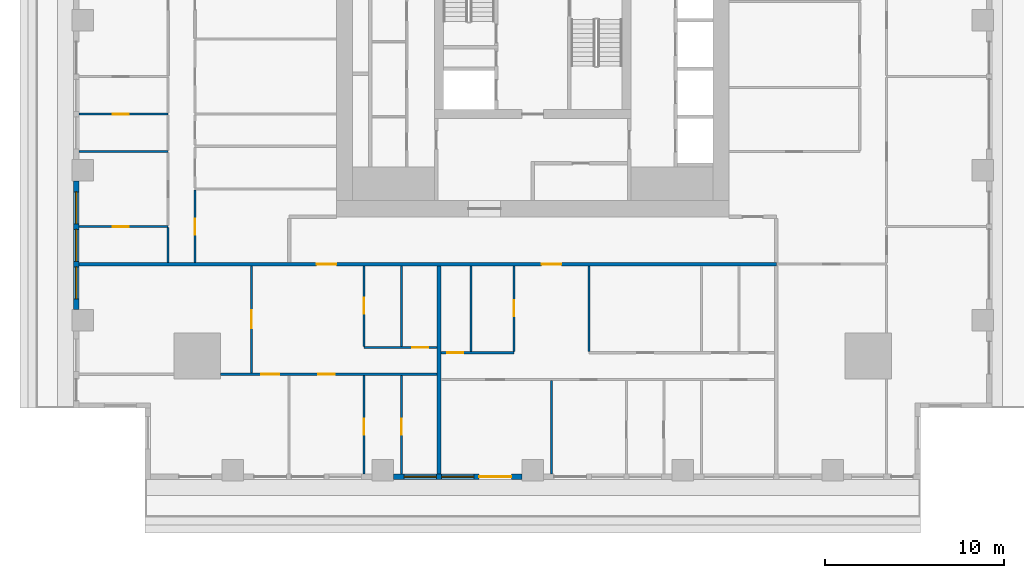
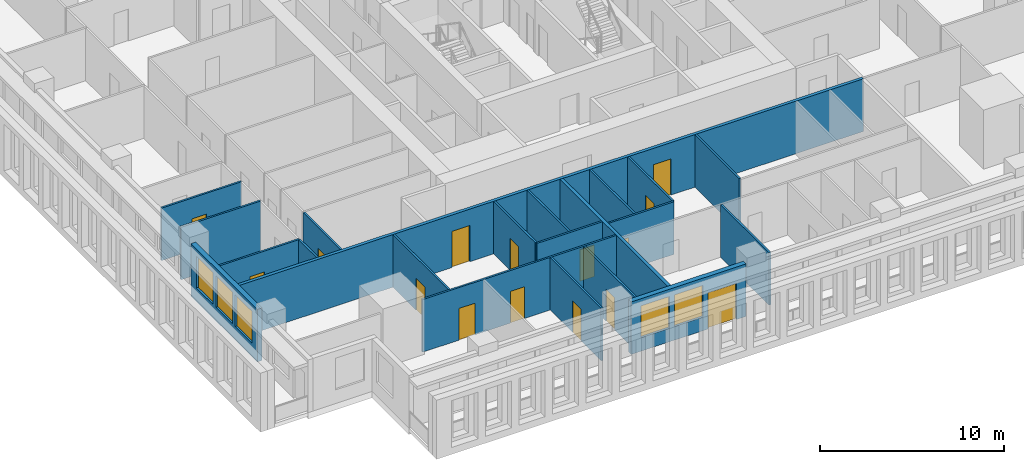
# One storey, part 2 of 16: 21 walls, 15 doors, 5 windows, 20 openings.
"""IFC4 building model written with IfcOpenShell, lengths in metres."""

from ifc_helpers import new_model, si_unit, direction, frame, frame_2d, origin, place, context, subcontext, project, spatial, rectangle, extrude, material, layer, layer_set, type_object, element, fill, save


model = new_model("IFC4")

# Units and contexts
model_context = context("Model", 3, precision=1e-05, world=origin(), true_north=direction((0.0, 1.0)))
body_context = subcontext(model_context, "Body", "Model", "MODEL_VIEW")
ifc_project = project(units=[si_unit("LENGTHUNIT", "METRE"), si_unit("AREAUNIT", "SQUARE_METRE"), si_unit("VOLUMEUNIT", "CUBIC_METRE"), si_unit("PLANEANGLEUNIT", "RADIAN"), si_unit("MASSUNIT", "GRAM", prefix="KILO")], contexts=[model_context])

# Site, building, storey
site_placement = place(None, origin())
site = spatial("IfcSite", under=ifc_project, at=site_placement, CompositionType="ELEMENT")
building_placement = place(site_placement, origin())
building = spatial("IfcBuilding", under=site, at=building_placement, Name="Khepri Terraces", CompositionType="ELEMENT")
storey_placement = place(building_placement, frame((0.0, 0.0, 141.60009765625)))
storey = spatial("IfcBuildingStorey", under=building, at=storey_placement, Name="L33", CompositionType="ELEMENT", Elevation=141.60009765625)

# Wall
ifc_material_1 = material(Name="Fire-rated gypsum plasterboard partition, mineral wool")
ifc_layer_1 = layer(ifc_material_1, 0.199951171875, Name="Fire-rated gypsum plasterboard partition, mineral wool")
ifc_layer_set_1 = layer_set([ifc_layer_1], Name="Fire-rated gypsum plasterboard partition, mineral wool")
wall_type_1 = type_object("IfcWallType", Name="WL-CORR-200", PredefinedType="PARTITIONING", material=ifc_layer_set_1)
wall_1_placement = place(storey_placement, frame((-5.25, -25.419921875, 0.0), z_axis=(0.0, 0.0, 1.0), x_axis=(0.0, 1.0, 0.0)))
element("IfcWall", 1, at=wall_1_placement, inside=storey, type_object=wall_type_1, Name="Partition P-004 L33", PredefinedType="PARTITIONING", context=body_context, shape_type="SweptSolid", body=[
    extrude(rectangle(XDim=11.669921875, YDim=0.199951171875, at=frame_2d((5.8349609375, 0.0))), origin(), (0.0, 0.0, 1.0), 3.47998046875),
])

# Wall, openings, doors
wall_2_placement = place(storey_placement, frame((-25.419921875, -13.64990234375, 0.0), z_axis=(0.0, 0.0, 1.0), x_axis=(1.0, 0.0, 0.0)))
wall_2 = element("IfcWall", 2, at=wall_2_placement, inside=storey, type_object=wall_type_1, Name="Partition P-026 L33", PredefinedType="PARTITIONING", context=body_context, shape_type="SweptSolid", body=[
    extrude(rectangle(XDim=39.06982421875, YDim=0.199951171875, at=frame_2d((19.534912109375, 0.0))), origin(), (0.0, 0.0, 1.0), 3.47998046875),
])
opening_1_placement = place(wall_2_placement, frame((13.320068359375, 0.0, 0.0)))
opening_1 = element("IfcOpeningElement", 3, at=opening_1_placement, cuts=wall_2, Name="Opening D1", PredefinedType="OPENING", context=body_context, shape_type="SweptSolid", body=[
    extrude(rectangle(XDim=1.10009765625, YDim=2.39990234375, at=frame_2d((0.550048828125, 1.199951171875))), frame((0.0, 0.10986328125, 0.0), z_axis=(0.0, -1.0, 0.0), x_axis=(1.0, 0.0, 0.0)), (0.0, 0.0, 1.0), 0.219970703125),
])
opening_2_placement = place(wall_2_placement, frame((25.919921875, 0.0, 0.0)))
opening_2 = element("IfcOpeningElement", 4, at=opening_2_placement, cuts=wall_2, Name="Opening D1", PredefinedType="OPENING", context=body_context, shape_type="SweptSolid", body=[
    extrude(rectangle(XDim=1.10009765625, YDim=2.39990234375, at=frame_2d((0.550048828125, 1.199951171875))), frame((0.0, 0.10986328125, 0.0), z_axis=(0.0, -1.0, 0.0), x_axis=(1.0, 0.0, 0.0)), (0.0, 0.0, 1.0), 0.219970703125),
])
ifc_material_2 = material(Name="Solid-core timber door leaf, flat entrance door", Category="wood")
door_type_1 = type_object("IfcDoorType", Name="DR-ENT-1100", OperationType="NOTDEFINED", PredefinedType="DOOR", material=ifc_material_2)
door_1_placement = place(opening_1_placement, frame((1.10009765625, 0.0, 0.0), z_axis=(0.0, 0.0, 1.0), x_axis=(-1.0, 0.0, 0.0)))
door_1 = element("IfcDoor", 5, at=door_1_placement, inside=storey, type_object=door_type_1, Name="Flat A1 entrance door", OperationType="SINGLE_SWING_RIGHT", OverallHeight=2.39990234375, OverallWidth=1.10009765625, PredefinedType="DOOR", context=body_context, shape_type="SweptSolid", body=[
    extrude(rectangle(XDim=1.10009765625, YDim=2.39990234375, at=frame_2d((0.550048828125, 1.199951171875))), frame((0.0, 0.02490234375, 0.0), z_axis=(0.0, -1.0, 0.0), x_axis=(1.0, 0.0, 0.0)), (0.0, 0.0, 1.0), 0.050048828125),
])
fill(opening_1, door_1)
door_2_placement = place(opening_2_placement, frame((1.10009765625, 0.0, 0.0), z_axis=(0.0, 0.0, 1.0), x_axis=(-1.0, 0.0, 0.0)))
door_2 = element("IfcDoor", 6, at=door_2_placement, inside=storey, type_object=door_type_1, Name="Flat A2 entrance door", OperationType="SINGLE_SWING_LEFT", OverallHeight=2.39990234375, OverallWidth=1.10009765625, PredefinedType="DOOR", context=body_context, shape_type="SweptSolid", body=[
    extrude(rectangle(XDim=1.10009765625, YDim=2.39990234375, at=frame_2d((0.550048828125, 1.199951171875))), frame((0.0, 0.02490234375, 0.0), z_axis=(0.0, -1.0, 0.0), x_axis=(1.0, 0.0, 0.0)), (0.0, 0.0, 1.0), 0.050048828125),
])
fill(opening_2, door_2)

# Wall, openings, windows
ifc_material_3 = material(Name="Precast concrete C50/60 warm stone", Category="masonry")
ifc_layer_2 = layer(ifc_material_3, 0.300048828125, Name="Precast concrete C50/60 warm stone", Category="masonry")
ifc_layer_set_2 = layer_set([ifc_layer_2], Name="Precast concrete C50/60 warm stone")
wall_type_2 = type_object("IfcWallType", Name="WL-EXT-PRECAST-300", PredefinedType="STANDARD", material=ifc_layer_set_2)
wall_3_placement = place(storey_placement, frame((-25.570068359375, -9.0, 0.0), z_axis=(0.0, 0.0, 1.0), x_axis=(0.0, -1.0, 0.0)))
wall_3 = element("IfcWall", 7, at=wall_3_placement, inside=storey, type_object=wall_type_2, Name="External wall L33 W", PredefinedType="STANDARD", context=body_context, shape_type="SweptSolid", body=[
    extrude(rectangle(XDim=7.199951171875, YDim=0.300048828125, at=frame_2d((3.60009765625, 0.0))), origin(), (0.0, 0.0, 1.0), 3.47998046875),
])
opening_3_placement = place(wall_3_placement, frame((0.60009765625, 0.0, 0.89990234375)))
opening_3 = element("IfcOpeningElement", 8, at=opening_3_placement, cuts=wall_3, Name="Opening W1", PredefinedType="OPENING", context=body_context, shape_type="SweptSolid", body=[
    extrude(rectangle(XDim=1.800048828125, YDim=2.10009765625, at=frame_2d((0.89990234375, 1.050048828125))), frame((0.0, 0.16015625, 0.0), z_axis=(0.0, -1.0, 0.0), x_axis=(1.0, 0.0, 0.0)), (0.0, 0.0, 1.0), 0.320068359375),
])
opening_4_placement = place(wall_3_placement, frame((2.699951171875, 0.0, 0.89990234375)))
opening_4 = element("IfcOpeningElement", 9, at=opening_4_placement, cuts=wall_3, Name="Opening W1", PredefinedType="OPENING", context=body_context, shape_type="SweptSolid", body=[
    extrude(rectangle(XDim=1.800048828125, YDim=2.10009765625, at=frame_2d((0.89990234375, 1.050048828125))), frame((0.0, 0.16015625, 0.0), z_axis=(0.0, -1.0, 0.0), x_axis=(1.0, 0.0, 0.0)), (0.0, 0.0, 1.0), 0.320068359375),
])
opening_5_placement = place(wall_3_placement, frame((4.800048828125, 0.0, 0.89990234375)))
opening_5 = element("IfcOpeningElement", 10, at=opening_5_placement, cuts=wall_3, Name="Opening W1", PredefinedType="OPENING", context=body_context, shape_type="SweptSolid", body=[
    extrude(rectangle(XDim=1.800048828125, YDim=2.10009765625, at=frame_2d((0.89990234375, 1.050048828125))), frame((0.0, 0.16015625, 0.0), z_axis=(0.0, -1.0, 0.0), x_axis=(1.0, 0.0, 0.0)), (0.0, 0.0, 1.0), 0.320068359375),
])
ifc_material_4 = material(Name="Clear glass", Category="glass")
window_type = type_object("IfcWindowType", Name="WIN-RES-1800x2100", PartitioningType="SINGLE_PANEL", PredefinedType="WINDOW", material=ifc_material_4)
window_1_placement = place(opening_3_placement, origin())
window_1 = element("IfcWindow", 11, at=window_1_placement, inside=storey, type_object=window_type, Name="Window L33 W", OverallHeight=2.10009765625, OverallWidth=1.800048828125, PartitioningType="SINGLE_PANEL", PredefinedType="WINDOW", context=body_context, shape_type="SweptSolid", body=[
    extrude(rectangle(XDim=1.800048828125, YDim=2.10009765625, at=frame_2d((0.89990234375, 1.050048828125))), frame((0.0, 0.030029296875, 0.0), z_axis=(0.0, -1.0, 0.0), x_axis=(1.0, 0.0, 0.0)), (0.0, 0.0, 1.0), 0.06005859375),
])
fill(opening_3, window_1)
window_2_placement = place(opening_4_placement, origin())
window_2 = element("IfcWindow", 12, at=window_2_placement, inside=storey, type_object=window_type, Name="Window L33 W", OverallHeight=2.10009765625, OverallWidth=1.800048828125, PartitioningType="SINGLE_PANEL", PredefinedType="WINDOW", context=body_context, shape_type="SweptSolid", body=[
    extrude(rectangle(XDim=1.800048828125, YDim=2.10009765625, at=frame_2d((0.89990234375, 1.050048828125))), frame((0.0, 0.030029296875, 0.0), z_axis=(0.0, -1.0, 0.0), x_axis=(1.0, 0.0, 0.0)), (0.0, 0.0, 1.0), 0.06005859375),
])
fill(opening_4, window_2)
window_3_placement = place(opening_5_placement, origin())
window_3 = element("IfcWindow", 13, at=window_3_placement, inside=storey, type_object=window_type, Name="Window L33 W", OverallHeight=2.10009765625, OverallWidth=1.800048828125, PartitioningType="SINGLE_PANEL", PredefinedType="WINDOW", context=body_context, shape_type="SweptSolid", body=[
    extrude(rectangle(XDim=1.800048828125, YDim=2.10009765625, at=frame_2d((0.89990234375, 1.050048828125))), frame((0.0, 0.030029296875, 0.0), z_axis=(0.0, -1.0, 0.0), x_axis=(1.0, 0.0, 0.0)), (0.0, 0.0, 1.0), 0.06005859375),
])
fill(opening_5, window_3)

# Wall, openings, door, windows
wall_4_placement = place(storey_placement, frame((-7.800048828125, -25.570068359375, 0.0), z_axis=(0.0, 0.0, 1.0), x_axis=(1.0, 0.0, 0.0)))
wall_4 = element("IfcWall", 14, at=wall_4_placement, inside=storey, type_object=wall_type_2, Name="External wall L33 S", PredefinedType="STANDARD", context=body_context, shape_type="SweptSolid", body=[
    extrude(rectangle(XDim=7.199951171875, YDim=0.300048828125, at=frame_2d((3.60009765625, 0.0))), origin(), (0.0, 0.0, 1.0), 3.47998046875),
])
opening_6_placement = place(wall_4_placement, frame((0.60009765625, 0.0, 0.89990234375)))
opening_6 = element("IfcOpeningElement", 15, at=opening_6_placement, cuts=wall_4, Name="Opening W1", PredefinedType="OPENING", context=body_context, shape_type="SweptSolid", body=[
    extrude(rectangle(XDim=1.800048828125, YDim=2.10009765625, at=frame_2d((0.89990234375, 1.050048828125))), frame((0.0, 0.16015625, 0.0), z_axis=(0.0, -1.0, 0.0), x_axis=(1.0, 0.0, 0.0)), (0.0, 0.0, 1.0), 0.320068359375),
])
opening_7_placement = place(wall_4_placement, frame((2.699951171875, 0.0, 0.89990234375)))
opening_7 = element("IfcOpeningElement", 16, at=opening_7_placement, cuts=wall_4, Name="Opening W1", PredefinedType="OPENING", context=body_context, shape_type="SweptSolid", body=[
    extrude(rectangle(XDim=1.800048828125, YDim=2.10009765625, at=frame_2d((0.89990234375, 1.050048828125))), frame((0.0, 0.16015625, 0.0), z_axis=(0.0, -1.0, 0.0), x_axis=(1.0, 0.0, 0.0)), (0.0, 0.0, 1.0), 0.320068359375),
])
opening_8_placement = place(wall_4_placement, frame((4.800048828125, 0.0, 0.0)))
opening_8 = element("IfcOpeningElement", 17, at=opening_8_placement, cuts=wall_4, Name="Opening ED-L33-23", PredefinedType="OPENING", context=body_context, shape_type="SweptSolid", body=[
    extrude(rectangle(XDim=1.800048828125, YDim=2.39990234375, at=frame_2d((0.89990234375, 1.199951171875))), frame((0.0, 0.16015625, 0.0), z_axis=(0.0, -1.0, 0.0), x_axis=(1.0, 0.0, 0.0)), (0.0, 0.0, 1.0), 0.320068359375),
])
ifc_material_5 = material(Name="Anodised aluminium bronze glazed door", Category="aluminium")
door_type_2 = type_object("IfcDoorType", Name="DR-BAL-SLIDE-1800x2400", OperationType="NOTDEFINED", PredefinedType="DOOR", material=ifc_material_5)
door_3_placement = place(opening_8_placement, origin())
door_3 = element("IfcDoor", 18, at=door_3_placement, inside=storey, type_object=door_type_2, Name="Balcony door L33 S", OperationType="SLIDING_TO_RIGHT", OverallHeight=2.39990234375, OverallWidth=1.800048828125, PredefinedType="DOOR", context=body_context, shape_type="SweptSolid", body=[
    extrude(rectangle(XDim=1.800048828125, YDim=2.39990234375, at=frame_2d((0.89990234375, 1.199951171875))), frame((0.0, 0.02490234375, 0.0), z_axis=(0.0, -1.0, 0.0), x_axis=(1.0, 0.0, 0.0)), (0.0, 0.0, 1.0), 0.050048828125),
])
fill(opening_8, door_3)
window_4_placement = place(opening_6_placement, origin())
window_4 = element("IfcWindow", 19, at=window_4_placement, inside=storey, type_object=window_type, Name="Window L33 S", OverallHeight=2.10009765625, OverallWidth=1.800048828125, PartitioningType="SINGLE_PANEL", PredefinedType="WINDOW", context=body_context, shape_type="SweptSolid", body=[
    extrude(rectangle(XDim=1.800048828125, YDim=2.10009765625, at=frame_2d((0.89990234375, 1.050048828125))), frame((0.0, 0.030029296875, 0.0), z_axis=(0.0, -1.0, 0.0), x_axis=(1.0, 0.0, 0.0)), (0.0, 0.0, 1.0), 0.06005859375),
])
fill(opening_6, window_4)
window_5_placement = place(opening_7_placement, origin())
window_5 = element("IfcWindow", 20, at=window_5_placement, inside=storey, type_object=window_type, Name="Window L33 S", OverallHeight=2.10009765625, OverallWidth=1.800048828125, PartitioningType="SINGLE_PANEL", PredefinedType="WINDOW", context=body_context, shape_type="SweptSolid", body=[
    extrude(rectangle(XDim=1.800048828125, YDim=2.10009765625, at=frame_2d((0.89990234375, 1.050048828125))), frame((0.0, 0.030029296875, 0.0), z_axis=(0.0, -1.0, 0.0), x_axis=(1.0, 0.0, 0.0)), (0.0, 0.0, 1.0), 0.06005859375),
])
fill(opening_7, window_5)

# Wall, opening, door
ifc_material_6 = material(Name="Gypsum plasterboard partition")
ifc_layer_3 = layer(ifc_material_6, 0.1201171875, Name="Gypsum plasterboard partition")
ifc_layer_set_3 = layer_set([ifc_layer_3], Name="Gypsum plasterboard partition")
wall_type_3 = type_object("IfcWallType", Name="WL-PART-120", PredefinedType="PARTITIONING", material=ifc_layer_set_3)
wall_5_placement = place(storey_placement, frame((-9.449951171875, -25.419921875, 0.0), z_axis=(0.0, 0.0, 1.0), x_axis=(0.0, 1.0, 0.0)))
wall_5 = element("IfcWall", 21, at=wall_5_placement, inside=storey, type_object=wall_type_3, Name="Partition P-002 L33", PredefinedType="PARTITIONING", context=body_context, shape_type="SweptSolid", body=[
    extrude(rectangle(XDim=5.5400390625, YDim=0.1201171875, at=frame_2d((2.77001953125, 0.0))), origin(), (0.0, 0.0, 1.0), 3.47998046875),
])
opening_9_placement = place(wall_5_placement, frame((2.199951171875, 0.0, 0.0)))
opening_9 = element("IfcOpeningElement", 22, at=opening_9_placement, cuts=wall_5, Name="Opening D3", PredefinedType="OPENING", context=body_context, shape_type="SweptSolid", body=[
    extrude(rectangle(XDim=0.89990234375, YDim=2.10009765625, at=frame_2d((0.449951171875, 1.050048828125))), frame((0.0, 0.070068359375, 0.0), z_axis=(0.0, -1.0, 0.0), x_axis=(1.0, 0.0, 0.0)), (0.0, 0.0, 1.0), 0.14013671875),
])
ifc_material_7 = material(Name="Timber door leaf", Category="wood")
door_type_3 = type_object("IfcDoorType", Name="DR-INT-900", OperationType="NOTDEFINED", PredefinedType="DOOR", material=ifc_material_7)
door_4_placement = place(opening_9_placement, frame((0.89990234375, 0.0, 0.0), z_axis=(0.0, 0.0, 1.0), x_axis=(-1.0, 0.0, 0.0)))
door_4 = element("IfcDoor", 23, at=door_4_placement, inside=storey, type_object=door_type_3, Name="Door Dressing Room", OperationType="SINGLE_SWING_RIGHT", OverallHeight=2.10009765625, OverallWidth=0.89990234375, PredefinedType="DOOR", context=body_context, shape_type="SweptSolid", body=[
    extrude(rectangle(XDim=0.89990234375, YDim=2.10009765625, at=frame_2d((0.449951171875, 1.050048828125))), frame((0.0, 0.02490234375, 0.0), z_axis=(0.0, -1.0, 0.0), x_axis=(1.0, 0.0, 0.0)), (0.0, 0.0, 1.0), 0.050048828125),
])
fill(opening_9, door_4)

wall_6_placement = place(storey_placement, frame((-7.35009765625, -25.419921875, 0.0), z_axis=(0.0, 0.0, 1.0), x_axis=(0.0, 1.0, 0.0)))
wall_6 = element("IfcWall", 24, at=wall_6_placement, inside=storey, type_object=wall_type_3, Name="Partition P-003 L33", PredefinedType="PARTITIONING", context=body_context, shape_type="SweptSolid", body=[
    extrude(rectangle(XDim=5.5400390625, YDim=0.1201171875, at=frame_2d((2.77001953125, 0.0))), origin(), (0.0, 0.0, 1.0), 3.47998046875),
])
opening_10_placement = place(wall_6_placement, frame((2.199951171875, 0.0, 0.0)))
opening_10 = element("IfcOpeningElement", 25, at=opening_10_placement, cuts=wall_6, Name="Opening D4", PredefinedType="OPENING", context=body_context, shape_type="SweptSolid", body=[
    extrude(rectangle(XDim=0.89990234375, YDim=2.10009765625, at=frame_2d((0.449951171875, 1.050048828125))), frame((0.0, 0.070068359375, 0.0), z_axis=(0.0, -1.0, 0.0), x_axis=(1.0, 0.0, 0.0)), (0.0, 0.0, 1.0), 0.14013671875),
])
ifc_material_8 = material(Name="Timber door leaf, moisture resistant", Category="wood")
door_type_4 = type_object("IfcDoorType", Name="DR-WET-900", OperationType="NOTDEFINED", PredefinedType="DOOR", material=ifc_material_8)
door_5_placement = place(opening_10_placement, frame((0.89990234375, 0.0, 0.0), z_axis=(0.0, 0.0, 1.0), x_axis=(-1.0, 0.0, 0.0)))
door_5 = element("IfcDoor", 26, at=door_5_placement, inside=storey, type_object=door_type_4, Name="Door Bathroom", OperationType="SINGLE_SWING_RIGHT", OverallHeight=2.10009765625, OverallWidth=0.89990234375, PredefinedType="DOOR", context=body_context, shape_type="SweptSolid", body=[
    extrude(rectangle(XDim=0.89990234375, YDim=2.10009765625, at=frame_2d((0.449951171875, 1.050048828125))), frame((0.0, 0.02490234375, 0.0), z_axis=(0.0, -1.0, 0.0), x_axis=(1.0, 0.0, 0.0)), (0.0, 0.0, 1.0), 0.050048828125),
])
fill(opening_10, door_5)

# Wall
wall_7_placement = place(storey_placement, frame((1.050048828125, -25.419921875, 0.0), z_axis=(0.0, 0.0, 1.0), x_axis=(0.0, 1.0, 0.0)))
element("IfcWall", 27, at=wall_7_placement, inside=storey, type_object=wall_type_3, Name="Partition P-005 L33", PredefinedType="PARTITIONING", context=body_context, shape_type="SweptSolid", body=[
    extrude(rectangle(XDim=5.239990234375, YDim=0.1201171875, at=frame_2d((2.6201171875, 0.0))), origin(), (0.0, 0.0, 1.0), 3.47998046875),
])

# Wall, openings, doors
wall_8_placement = place(storey_placement, frame((-17.5, -19.820068359375, 0.0), z_axis=(0.0, 0.0, 1.0), x_axis=(1.0, 0.0, 0.0)))
wall_8 = element("IfcWall", 28, at=wall_8_placement, inside=storey, type_object=wall_type_3, Name="Partition P-013 L33", PredefinedType="PARTITIONING", context=body_context, shape_type="SweptSolid", body=[
    extrude(rectangle(XDim=12.14990234375, YDim=0.1201171875, at=frame_2d((6.074951171875, 0.0))), origin(), (0.0, 0.0, 1.0), 3.47998046875),
])
opening_11_placement = place(wall_8_placement, frame((2.300048828125, 0.0, 0.0)))
opening_11 = element("IfcOpeningElement", 29, at=opening_11_placement, cuts=wall_8, Name="Opening D2", PredefinedType="OPENING", context=body_context, shape_type="SweptSolid", body=[
    extrude(rectangle(XDim=1.0, YDim=2.10009765625, at=frame_2d((0.5, 1.050048828125))), frame((0.0, 0.070068359375, 0.0), z_axis=(0.0, -1.0, 0.0), x_axis=(1.0, 0.0, 0.0)), (0.0, 0.0, 1.0), 0.14013671875),
])
opening_12_placement = place(wall_8_placement, frame((5.5, 0.0, 0.0)))
opening_12 = element("IfcOpeningElement", 30, at=opening_12_placement, cuts=wall_8, Name="Opening D3", PredefinedType="OPENING", context=body_context, shape_type="SweptSolid", body=[
    extrude(rectangle(XDim=0.89990234375, YDim=2.10009765625, at=frame_2d((0.449951171875, 1.050048828125))), frame((0.0, 0.070068359375, 0.0), z_axis=(0.0, -1.0, 0.0), x_axis=(1.0, 0.0, 0.0)), (0.0, 0.0, 1.0), 0.14013671875),
])
ifc_material_9 = material(Name="Timber door leaf, living room door", Category="wood")
door_type_5 = type_object("IfcDoorType", Name="DR-INT-1000", OperationType="NOTDEFINED", PredefinedType="DOOR", material=ifc_material_9)
door_6_placement = place(opening_11_placement, frame((1.0, 0.0, 0.0), z_axis=(0.0, 0.0, 1.0), x_axis=(-1.0, 0.0, 0.0)))
door_6 = element("IfcDoor", 31, at=door_6_placement, inside=storey, type_object=door_type_5, Name="Door Living Room", OperationType="SINGLE_SWING_RIGHT", OverallHeight=2.10009765625, OverallWidth=1.0, PredefinedType="DOOR", context=body_context, shape_type="SweptSolid", body=[
    extrude(rectangle(XDim=1.0, YDim=2.10009765625, at=frame_2d((0.5, 1.050048828125))), frame((0.0, 0.02490234375, 0.0), z_axis=(0.0, -1.0, 0.0), x_axis=(1.0, 0.0, 0.0)), (0.0, 0.0, 1.0), 0.050048828125),
])
fill(opening_11, door_6)
door_7_placement = place(opening_12_placement, frame((0.89990234375, 0.0, 0.0), z_axis=(0.0, 0.0, 1.0), x_axis=(-1.0, 0.0, 0.0)))
door_7 = element("IfcDoor", 32, at=door_7_placement, inside=storey, type_object=door_type_3, Name="Door Master Bedroom", OperationType="SINGLE_SWING_RIGHT", OverallHeight=2.10009765625, OverallWidth=0.89990234375, PredefinedType="DOOR", context=body_context, shape_type="SweptSolid", body=[
    extrude(rectangle(XDim=0.89990234375, YDim=2.10009765625, at=frame_2d((0.449951171875, 1.050048828125))), frame((0.0, 0.02490234375, 0.0), z_axis=(0.0, -1.0, 0.0), x_axis=(1.0, 0.0, 0.0)), (0.0, 0.0, 1.0), 0.050048828125),
])
fill(opening_12, door_7)

# Wall, opening, door
wall_9_placement = place(storey_placement, frame((-15.75, -19.760009765625, 0.0), z_axis=(0.0, 0.0, 1.0), x_axis=(0.0, 1.0, 0.0)))
wall_9 = element("IfcWall", 33, at=wall_9_placement, inside=storey, type_object=wall_type_3, Name="Partition P-014 L33", PredefinedType="PARTITIONING", context=body_context, shape_type="SweptSolid", body=[
    extrude(rectangle(XDim=6.010009765625, YDim=0.1201171875, at=frame_2d((3.0048828125, 0.0))), origin(), (0.0, 0.0, 1.0), 3.47998046875),
])
opening_13_placement = place(wall_9_placement, frame((2.52490234375, 0.0, 0.0)))
opening_13 = element("IfcOpeningElement", 34, at=opening_13_placement, cuts=wall_9, Name="Opening D2", PredefinedType="OPENING", context=body_context, shape_type="SweptSolid", body=[
    extrude(rectangle(XDim=1.0, YDim=2.10009765625, at=frame_2d((0.5, 1.050048828125))), frame((0.0, 0.070068359375, 0.0), z_axis=(0.0, -1.0, 0.0), x_axis=(1.0, 0.0, 0.0)), (0.0, 0.0, 1.0), 0.14013671875),
])
door_8_placement = place(opening_13_placement, origin())
door_8 = element("IfcDoor", 35, at=door_8_placement, inside=storey, type_object=door_type_5, Name="Door Family Room", OperationType="SINGLE_SWING_RIGHT", OverallHeight=2.10009765625, OverallWidth=1.0, PredefinedType="DOOR", context=body_context, shape_type="SweptSolid", body=[
    extrude(rectangle(XDim=1.0, YDim=2.10009765625, at=frame_2d((0.5, 1.050048828125))), frame((0.0, 0.02490234375, 0.0), z_axis=(0.0, -1.0, 0.0), x_axis=(1.0, 0.0, 0.0)), (0.0, 0.0, 1.0), 0.050048828125),
])
fill(opening_13, door_8)

wall_10_placement = place(storey_placement, frame((-5.14990234375, -18.6201171875, 0.0), z_axis=(0.0, 0.0, 1.0), x_axis=(1.0, 0.0, 0.0)))
wall_10 = element("IfcWall", 36, at=wall_10_placement, inside=storey, type_object=wall_type_3, Name="Partition P-015 L33", PredefinedType="PARTITIONING", context=body_context, shape_type="SweptSolid", body=[
    extrude(rectangle(XDim=4.099853515625, YDim=0.1201171875, at=frame_2d((2.0498046875, 0.0))), origin(), (0.0, 0.0, 1.0), 3.47998046875),
])
opening_14_placement = place(wall_10_placement, frame((0.35009765625, 0.0, 0.0)))
opening_14 = element("IfcOpeningElement", 37, at=opening_14_placement, cuts=wall_10, Name="Opening D4", PredefinedType="OPENING", context=body_context, shape_type="SweptSolid", body=[
    extrude(rectangle(XDim=0.89990234375, YDim=2.10009765625, at=frame_2d((0.449951171875, 1.050048828125))), frame((0.0, 0.070068359375, 0.0), z_axis=(0.0, -1.0, 0.0), x_axis=(1.0, 0.0, 0.0)), (0.0, 0.0, 1.0), 0.14013671875),
])
door_9_placement = place(opening_14_placement, origin())
door_9 = element("IfcDoor", 38, at=door_9_placement, inside=storey, type_object=door_type_4, Name="Door Powder Room", OperationType="SINGLE_SWING_LEFT", OverallHeight=2.10009765625, OverallWidth=0.89990234375, PredefinedType="DOOR", context=body_context, shape_type="SweptSolid", body=[
    extrude(rectangle(XDim=0.89990234375, YDim=2.10009765625, at=frame_2d((0.449951171875, 1.050048828125))), frame((0.0, 0.02490234375, 0.0), z_axis=(0.0, -1.0, 0.0), x_axis=(1.0, 0.0, 0.0)), (0.0, 0.0, 1.0), 0.050048828125),
])
fill(opening_14, door_9)

# Wall
wall_11_placement = place(storey_placement, frame((-3.449951171875, -18.56005859375, 0.0), z_axis=(0.0, 0.0, 1.0), x_axis=(0.0, 1.0, 0.0)))
element("IfcWall", 39, at=wall_11_placement, inside=storey, type_object=wall_type_3, Name="Partition P-017 L33", PredefinedType="PARTITIONING", context=body_context, shape_type="SweptSolid", body=[
    extrude(rectangle(XDim=4.81005859375, YDim=0.1201171875, at=frame_2d((2.405029296875, 0.0))), origin(), (0.0, 0.0, 1.0), 3.47998046875),
])

# Wall, opening, door
wall_12_placement = place(storey_placement, frame((-1.050048828125, -18.56005859375, 0.0), z_axis=(0.0, 0.0, 1.0), x_axis=(0.0, 1.0, 0.0)))
wall_12 = element("IfcWall", 40, at=wall_12_placement, inside=storey, type_object=wall_type_3, Name="Partition P-018 L33", PredefinedType="PARTITIONING", context=body_context, shape_type="SweptSolid", body=[
    extrude(rectangle(XDim=4.81005859375, YDim=0.1201171875, at=frame_2d((2.405029296875, 0.0))), origin(), (0.0, 0.0, 1.0), 3.47998046875),
])
opening_15_placement = place(wall_12_placement, frame((1.97509765625, 0.0, 0.0)))
opening_15 = element("IfcOpeningElement", 41, at=opening_15_placement, cuts=wall_12, Name="Opening D4", PredefinedType="OPENING", context=body_context, shape_type="SweptSolid", body=[
    extrude(rectangle(XDim=0.89990234375, YDim=2.10009765625, at=frame_2d((0.449951171875, 1.050048828125))), frame((0.0, 0.070068359375, 0.0), z_axis=(0.0, -1.0, 0.0), x_axis=(1.0, 0.0, 0.0)), (0.0, 0.0, 1.0), 0.14013671875),
])
door_10_placement = place(opening_15_placement, origin())
door_10 = element("IfcDoor", 42, at=door_10_placement, inside=storey, type_object=door_type_4, Name="Door Guest Bathroom", OperationType="SINGLE_SWING_RIGHT", OverallHeight=2.10009765625, OverallWidth=0.89990234375, PredefinedType="DOOR", context=body_context, shape_type="SweptSolid", body=[
    extrude(rectangle(XDim=0.89990234375, YDim=2.10009765625, at=frame_2d((0.449951171875, 1.050048828125))), frame((0.0, 0.02490234375, 0.0), z_axis=(0.0, -1.0, 0.0), x_axis=(1.0, 0.0, 0.0)), (0.0, 0.0, 1.0), 0.050048828125),
])
fill(opening_15, door_10)

# Wall
wall_13_placement = place(storey_placement, frame((3.14990234375, -18.56005859375, 0.0), z_axis=(0.0, 0.0, 1.0), x_axis=(0.0, 1.0, 0.0)))
element("IfcWall", 43, at=wall_13_placement, inside=storey, type_object=wall_type_3, Name="Partition P-019 L33", PredefinedType="PARTITIONING", context=body_context, shape_type="SweptSolid", body=[
    extrude(rectangle(XDim=4.81005859375, YDim=0.1201171875, at=frame_2d((2.405029296875, 0.0))), origin(), (0.0, 0.0, 1.0), 3.47998046875),
])

# Wall, opening, door
wall_14_placement = place(storey_placement, frame((-9.449951171875, -18.320068359375, 0.0), z_axis=(0.0, 0.0, 1.0), x_axis=(1.0, 0.0, 0.0)))
wall_14 = element("IfcWall", 44, at=wall_14_placement, inside=storey, type_object=wall_type_3, Name="Partition P-022 L33", PredefinedType="PARTITIONING", context=body_context, shape_type="SweptSolid", body=[
    extrude(rectangle(XDim=4.099853515625, YDim=0.1201171875, at=frame_2d((2.0498046875, 0.0))), origin(), (0.0, 0.0, 1.0), 3.47998046875),
])
opening_16_placement = place(wall_14_placement, frame((2.699951171875, 0.0, 0.0)))
opening_16 = element("IfcOpeningElement", 45, at=opening_16_placement, cuts=wall_14, Name="Opening D3", PredefinedType="OPENING", context=body_context, shape_type="SweptSolid", body=[
    extrude(rectangle(XDim=0.89990234375, YDim=2.10009765625, at=frame_2d((0.449951171875, 1.050048828125))), frame((0.0, 0.070068359375, 0.0), z_axis=(0.0, -1.0, 0.0), x_axis=(1.0, 0.0, 0.0)), (0.0, 0.0, 1.0), 0.14013671875),
])
door_11_placement = place(opening_16_placement, origin())
door_11 = element("IfcDoor", 46, at=door_11_placement, inside=storey, type_object=door_type_3, Name="Door Kitchen", OperationType="SINGLE_SWING_RIGHT", OverallHeight=2.10009765625, OverallWidth=0.89990234375, PredefinedType="DOOR", context=body_context, shape_type="SweptSolid", body=[
    extrude(rectangle(XDim=0.89990234375, YDim=2.10009765625, at=frame_2d((0.449951171875, 1.050048828125))), frame((0.0, 0.02490234375, 0.0), z_axis=(0.0, -1.0, 0.0), x_axis=(1.0, 0.0, 0.0)), (0.0, 0.0, 1.0), 0.050048828125),
])
fill(opening_16, door_11)

wall_15_placement = place(storey_placement, frame((-9.449951171875, -18.260009765625, 0.0), z_axis=(0.0, 0.0, 1.0), x_axis=(0.0, 1.0, 0.0)))
wall_15 = element("IfcWall", 47, at=wall_15_placement, inside=storey, type_object=wall_type_3, Name="Partition P-023 L33", PredefinedType="PARTITIONING", context=body_context, shape_type="SweptSolid", body=[
    extrude(rectangle(XDim=4.510009765625, YDim=0.1201171875, at=frame_2d((2.2548828125, 0.0))), origin(), (0.0, 0.0, 1.0), 3.47998046875),
])
opening_17_placement = place(wall_15_placement, frame((1.824951171875, 0.0, 0.0)))
opening_17 = element("IfcOpeningElement", 48, at=opening_17_placement, cuts=wall_15, Name="Opening D4", PredefinedType="OPENING", context=body_context, shape_type="SweptSolid", body=[
    extrude(rectangle(XDim=0.89990234375, YDim=2.10009765625, at=frame_2d((0.449951171875, 1.050048828125))), frame((0.0, 0.070068359375, 0.0), z_axis=(0.0, -1.0, 0.0), x_axis=(1.0, 0.0, 0.0)), (0.0, 0.0, 1.0), 0.14013671875),
])
door_12_placement = place(opening_17_placement, frame((0.89990234375, 0.0, 0.0), z_axis=(0.0, 0.0, 1.0), x_axis=(-1.0, 0.0, 0.0)))
door_12 = element("IfcDoor", 49, at=door_12_placement, inside=storey, type_object=door_type_4, Name="Door Guest Bathroom", OperationType="SINGLE_SWING_LEFT", OverallHeight=2.10009765625, OverallWidth=0.89990234375, PredefinedType="DOOR", context=body_context, shape_type="SweptSolid", body=[
    extrude(rectangle(XDim=0.89990234375, YDim=2.10009765625, at=frame_2d((0.449951171875, 1.050048828125))), frame((0.0, 0.02490234375, 0.0), z_axis=(0.0, -1.0, 0.0), x_axis=(1.0, 0.0, 0.0)), (0.0, 0.0, 1.0), 0.050048828125),
])
fill(opening_17, door_12)

# Walls
wall_16_placement = place(storey_placement, frame((-7.35009765625, -18.260009765625, 0.0), z_axis=(0.0, 0.0, 1.0), x_axis=(0.0, 1.0, 0.0)))
element("IfcWall", 50, at=wall_16_placement, inside=storey, type_object=wall_type_3, Name="Partition P-024 L33", PredefinedType="PARTITIONING", context=body_context, shape_type="SweptSolid", body=[
    extrude(rectangle(XDim=4.510009765625, YDim=0.1201171875, at=frame_2d((2.2548828125, 0.0))), origin(), (0.0, 0.0, 1.0), 3.47998046875),
])
wall_17_placement = place(storey_placement, frame((-20.419921875, -13.550048828125, 0.0), z_axis=(0.0, 0.0, 1.0), x_axis=(0.0, 1.0, 0.0)))
element("IfcWall", 51, at=wall_17_placement, inside=storey, type_object=wall_type_3, Name="Partition P-029 L33", PredefinedType="PARTITIONING", context=body_context, shape_type="SweptSolid", body=[
    extrude(rectangle(XDim=1.93994140625, YDim=0.1201171875, at=frame_2d((0.969970703125, 0.0))), origin(), (0.0, 0.0, 1.0), 3.47998046875),
])

# Wall, opening, door
wall_18_placement = place(storey_placement, frame((-18.919921875, -13.550048828125, 0.0), z_axis=(0.0, 0.0, 1.0), x_axis=(0.0, 1.0, 0.0)))
wall_18 = element("IfcWall", 52, at=wall_18_placement, inside=storey, type_object=wall_type_3, Name="Partition P-030 L33", PredefinedType="PARTITIONING", context=body_context, shape_type="SweptSolid", body=[
    extrude(rectangle(XDim=4.0400390625, YDim=0.1201171875, at=frame_2d((2.02001953125, 0.0))), origin(), (0.0, 0.0, 1.0), 3.47998046875),
])
opening_18_placement = place(wall_18_placement, frame((1.550048828125, 0.0, 0.0)))
opening_18 = element("IfcOpeningElement", 53, at=opening_18_placement, cuts=wall_18, Name="Opening D3", PredefinedType="OPENING", context=body_context, shape_type="SweptSolid", body=[
    extrude(rectangle(XDim=0.89990234375, YDim=2.10009765625, at=frame_2d((0.449951171875, 1.050048828125))), frame((0.0, 0.070068359375, 0.0), z_axis=(0.0, -1.0, 0.0), x_axis=(1.0, 0.0, 0.0)), (0.0, 0.0, 1.0), 0.14013671875),
])
door_13_placement = place(opening_18_placement, frame((0.89990234375, 0.0, 0.0), z_axis=(0.0, 0.0, 1.0), x_axis=(-1.0, 0.0, 0.0)))
door_13 = element("IfcDoor", 54, at=door_13_placement, inside=storey, type_object=door_type_3, Name="Door Library", OperationType="SINGLE_SWING_RIGHT", OverallHeight=2.10009765625, OverallWidth=0.89990234375, PredefinedType="DOOR", context=body_context, shape_type="SweptSolid", body=[
    extrude(rectangle(XDim=0.89990234375, YDim=2.10009765625, at=frame_2d((0.449951171875, 1.050048828125))), frame((0.0, 0.02490234375, 0.0), z_axis=(0.0, -1.0, 0.0), x_axis=(1.0, 0.0, 0.0)), (0.0, 0.0, 1.0), 0.050048828125),
])
fill(opening_18, door_13)

wall_19_placement = place(storey_placement, frame((-25.419921875, -11.550048828125, 0.0), z_axis=(0.0, 0.0, 1.0), x_axis=(1.0, 0.0, 0.0)))
wall_19 = element("IfcWall", 55, at=wall_19_placement, inside=storey, type_object=wall_type_3, Name="Partition P-033 L33", PredefinedType="PARTITIONING", context=body_context, shape_type="SweptSolid", body=[
    extrude(rectangle(XDim=5.0, YDim=0.1201171875, at=frame_2d((2.5, 0.0))), origin(), (0.0, 0.0, 1.0), 3.47998046875),
])
opening_19_placement = place(wall_19_placement, frame((1.89990234375, 0.0, 0.0)))
opening_19 = element("IfcOpeningElement", 56, at=opening_19_placement, cuts=wall_19, Name="Opening D4", PredefinedType="OPENING", context=body_context, shape_type="SweptSolid", body=[
    extrude(rectangle(XDim=0.89990234375, YDim=2.10009765625, at=frame_2d((0.449951171875, 1.050048828125))), frame((0.0, 0.070068359375, 0.0), z_axis=(0.0, -1.0, 0.0), x_axis=(1.0, 0.0, 0.0)), (0.0, 0.0, 1.0), 0.14013671875),
])
door_14_placement = place(opening_19_placement, frame((0.89990234375, 0.0, 0.0), z_axis=(0.0, 0.0, 1.0), x_axis=(-1.0, 0.0, 0.0)))
door_14 = element("IfcDoor", 57, at=door_14_placement, inside=storey, type_object=door_type_4, Name="Door Bathroom", OperationType="SINGLE_SWING_RIGHT", OverallHeight=2.10009765625, OverallWidth=0.89990234375, PredefinedType="DOOR", context=body_context, shape_type="SweptSolid", body=[
    extrude(rectangle(XDim=0.89990234375, YDim=2.10009765625, at=frame_2d((0.449951171875, 1.050048828125))), frame((0.0, 0.02490234375, 0.0), z_axis=(0.0, -1.0, 0.0), x_axis=(1.0, 0.0, 0.0)), (0.0, 0.0, 1.0), 0.050048828125),
])
fill(opening_19, door_14)

# Wall
wall_20_placement = place(storey_placement, frame((-25.419921875, -7.35009765625, 0.0), z_axis=(0.0, 0.0, 1.0), x_axis=(1.0, 0.0, 0.0)))
element("IfcWall", 58, at=wall_20_placement, inside=storey, type_object=wall_type_3, Name="Partition P-041 L33", PredefinedType="PARTITIONING", context=body_context, shape_type="SweptSolid", body=[
    extrude(rectangle(XDim=5.0, YDim=0.1201171875, at=frame_2d((2.5, 0.0))), origin(), (0.0, 0.0, 1.0), 3.47998046875),
])

# Wall, opening, door
wall_21_placement = place(storey_placement, frame((-25.419921875, -5.25, 0.0), z_axis=(0.0, 0.0, 1.0), x_axis=(1.0, 0.0, 0.0)))
wall_21 = element("IfcWall", 59, at=wall_21_placement, inside=storey, type_object=wall_type_3, Name="Partition P-047 L33", PredefinedType="PARTITIONING", context=body_context, shape_type="SweptSolid", body=[
    extrude(rectangle(XDim=5.0, YDim=0.1201171875, at=frame_2d((2.5, 0.0))), origin(), (0.0, 0.0, 1.0), 3.47998046875),
])
opening_20_placement = place(wall_21_placement, frame((1.89990234375, 0.0, 0.0)))
opening_20 = element("IfcOpeningElement", 60, at=opening_20_placement, cuts=wall_21, Name="Opening D4", PredefinedType="OPENING", context=body_context, shape_type="SweptSolid", body=[
    extrude(rectangle(XDim=0.89990234375, YDim=2.10009765625, at=frame_2d((0.449951171875, 1.050048828125))), frame((0.0, 0.070068359375, 0.0), z_axis=(0.0, -1.0, 0.0), x_axis=(1.0, 0.0, 0.0)), (0.0, 0.0, 1.0), 0.14013671875),
])
door_15_placement = place(opening_20_placement, frame((0.89990234375, 0.0, 0.0), z_axis=(0.0, 0.0, 1.0), x_axis=(-1.0, 0.0, 0.0)))
door_15 = element("IfcDoor", 61, at=door_15_placement, inside=storey, type_object=door_type_4, Name="Door Bathroom", OperationType="SINGLE_SWING_RIGHT", OverallHeight=2.10009765625, OverallWidth=0.89990234375, PredefinedType="DOOR", context=body_context, shape_type="SweptSolid", body=[
    extrude(rectangle(XDim=0.89990234375, YDim=2.10009765625, at=frame_2d((0.449951171875, 1.050048828125))), frame((0.0, 0.02490234375, 0.0), z_axis=(0.0, -1.0, 0.0), x_axis=(1.0, 0.0, 0.0)), (0.0, 0.0, 1.0), 0.050048828125),
])
fill(opening_20, door_15)

save(model, "model.ifc")
